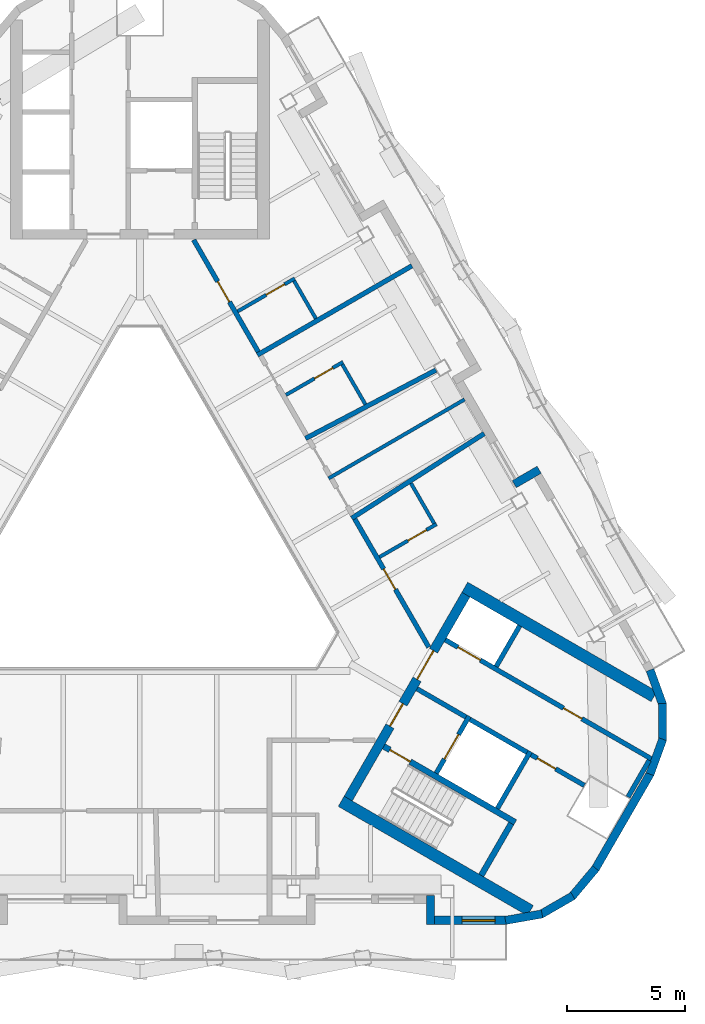
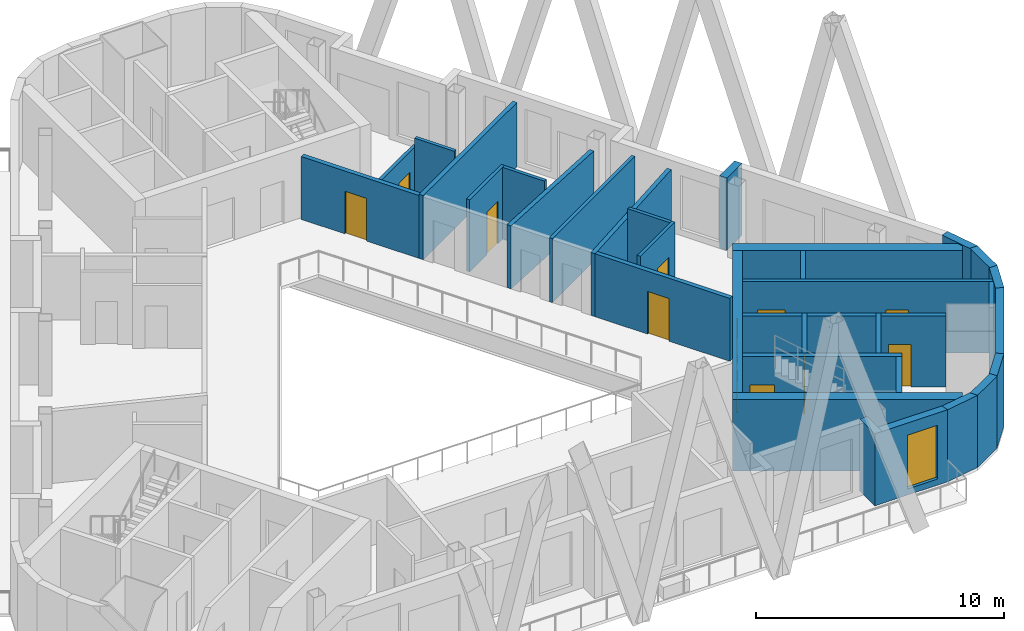
# One storey, part 5 of 11: 35 walls, 12 doors, 1 window, 13 openings.
"""IFC4 building model written with IfcOpenShell, lengths in metres."""

from ifc_helpers import new_model, si_unit, direction, frame, frame_2d, origin, place, context, subcontext, project, spatial, rectangle, extrude, material, layer, layer_set, type_object, element, fill, save


model = new_model("IFC4")

# Units and contexts
model_context = context("Model", 3, precision=1e-05, world=origin(), true_north=direction((0.0, 1.0)))
body_context = subcontext(model_context, "Body", "Model", "MODEL_VIEW")
ifc_project = project(units=[si_unit("LENGTHUNIT", "METRE"), si_unit("AREAUNIT", "SQUARE_METRE"), si_unit("VOLUMEUNIT", "CUBIC_METRE"), si_unit("PLANEANGLEUNIT", "RADIAN"), si_unit("MASSUNIT", "GRAM", prefix="KILO")], contexts=[model_context])

# Site, building, storey
site_placement = place(None, origin())
site = spatial("IfcSite", under=ifc_project, at=site_placement, CompositionType="ELEMENT")
building_placement = place(site_placement, origin())
building = spatial("IfcBuilding", under=site, at=building_placement, Name="Apuvela Tower Hotel", CompositionType="ELEMENT")
storey_placement = place(building_placement, frame((0.0, 0.0, 313.300048828125)))
storey = spatial("IfcBuildingStorey", under=building, at=storey_placement, Name="L78", CompositionType="ELEMENT", Elevation=313.300048828125)

# Wall, openings, doors
ifc_material_1 = material(Name="Concrete C50/60", Category="concrete")
ifc_layer_1 = layer(ifc_material_1, 0.39990234375)
ifc_layer_set_1 = layer_set([ifc_layer_1], Name="COR-WALL-CORE-400")
wall_type_1 = type_object("IfcWallType", Name="COR-WALL-CORE-400", PredefinedType="SHEAR", material=ifc_layer_set_1)
wall_1_placement = place(storey_placement, frame((8.844970703125, -10.880126953125, 0.0), z_axis=(0.0, 0.0, 1.0), x_axis=(0.500004234368, 0.866022959057, 0.0)))
wall_1 = element("IfcWall", 1, at=wall_1_placement, inside=storey, type_object=wall_type_1, Name="Core wall SE", PredefinedType="SHEAR", context=body_context, shape_type="SweptSolid", body=[
    extrude(rectangle(XDim=10.0, YDim=0.39990234375, at=frame_2d((5.0, 0.0))), origin(), (0.0, 0.0, 1.0), 3.5),
])
opening_1_placement = place(wall_1_placement, frame((3.550048828125, 0.0, 0.0)))
opening_1 = element("IfcOpeningElement", 2, at=opening_1_placement, cuts=wall_1, Name="Opening E-FD", PredefinedType="OPENING", context=body_context, shape_type="SweptSolid", body=[
    extrude(rectangle(XDim=1.10009765625, YDim=2.10009765625, at=frame_2d((0.550048828125, 1.050048828125))), frame((0.0, 0.2099609375, 0.0), z_axis=(0.0, -1.0, 0.0), x_axis=(1.0, 0.0, 0.0)), (0.0, 0.0, 1.0), 0.419921875),
])
opening_2_placement = place(wall_1_placement, frame((5.85009765625, 0.0, 0.0)))
opening_2 = element("IfcOpeningElement", 3, at=opening_2_placement, cuts=wall_1, Name="Opening E-GD", PredefinedType="OPENING", context=body_context, shape_type="SweptSolid", body=[
    extrude(rectangle(XDim=1.39990234375, YDim=2.10009765625, at=frame_2d((0.699951171875, 1.050048828125))), frame((0.0, 0.2099609375, 0.0), z_axis=(0.0, -1.0, 0.0), x_axis=(1.0, 0.0, 0.0)), (0.0, 0.0, 1.0), 0.419921875),
])
ifc_material_2 = material(Name="Steel fire door, powder coated", Category="steel")
door_type_1 = type_object("IfcDoorType", Name="COR-FD-1100", OperationType="NOTDEFINED", PredefinedType="DOOR", material=ifc_material_2)
door_1_placement = place(opening_1_placement, frame((1.10009765625, 0.0, 0.0), z_axis=(0.0, 0.0, 1.0), x_axis=(-1.0, 0.0, 0.0)))
door_1 = element("IfcDoor", 4, at=door_1_placement, inside=storey, type_object=door_type_1, Name="Firefighting lobby door E-FD", OperationType="SINGLE_SWING_LEFT", OverallHeight=2.10009765625, OverallWidth=1.10009765625, PredefinedType="DOOR", context=body_context, shape_type="SweptSolid", body=[
    extrude(rectangle(XDim=1.10009765625, YDim=2.10009765625, at=frame_2d((0.550048828125, 1.050048828125))), frame((0.0, 0.02490234375, 0.0), z_axis=(0.0, -1.0, 0.0), x_axis=(1.0, 0.0, 0.0)), (0.0, 0.0, 1.0), 0.050048828125),
])
fill(opening_1, door_1)
ifc_material_3 = material(Name="Glazed steel fire door", Category="steel")
door_type_2 = type_object("IfcDoorType", Name="COR-GD-1400", OperationType="DOUBLE_DOOR_SINGLE_SWING", PredefinedType="DOOR", material=ifc_material_3)
door_2_placement = place(opening_2_placement, frame((1.39990234375, 0.0, 0.0), z_axis=(0.0, 0.0, 1.0), x_axis=(-1.0, 0.0, 0.0)))
door_2 = element("IfcDoor", 5, at=door_2_placement, inside=storey, type_object=door_type_2, Name="Lift lobby door E-GD", OperationType="DOUBLE_DOOR_SINGLE_SWING", OverallHeight=2.10009765625, OverallWidth=1.39990234375, PredefinedType="DOOR", context=body_context, shape_type="SweptSolid", body=[
    extrude(rectangle(XDim=1.39990234375, YDim=2.10009765625, at=frame_2d((0.699951171875, 1.050048828125))), frame((0.0, 0.02490234375, 0.0), z_axis=(0.0, -1.0, 0.0), x_axis=(1.0, 0.0, 0.0)), (0.0, 0.0, 1.0), 0.050048828125),
])
fill(opening_2, door_2)

# Walls
ifc_layer_2 = layer(ifc_material_1, 0.5)
ifc_layer_set_2 = layer_set([ifc_layer_2], Name="COR-WALL-CORE-500")
wall_type_2 = type_object("IfcWallType", Name="COR-WALL-CORE-500", PredefinedType="SHEAR", material=ifc_layer_set_2)
for number, where, z_axis, x_axis, name in (
    (6, (8.546630859375, -10.99658203125, 0.0), (0.0, 0.0, 1.0), (0.866025286072, -0.500000203884, 0.0), "Core wall SE"),
    (7, (13.796630859375, -1.9033203125, 0.0), (0.0, 0.0, 1.0), (0.866025286072, -0.500000203884, 0.0), "Core wall SE"),
):
    element("IfcWall", number, at=place(storey_placement, frame(where, z_axis=z_axis, x_axis=x_axis)), inside=storey, type_object=wall_type_2, Name=name, PredefinedType="SHEAR", context=body_context, shape_type="SweptSolid", body=[
        extrude(rectangle(XDim=9.28271484375, YDim=0.5, at=frame_2d((4.641357421875, 0.0))), origin(), (0.0, 0.0, 1.0), 3.5),
    ])
ifc_layer_3 = layer(ifc_material_1, 0.199951171875)
ifc_layer_set_3 = layer_set([ifc_layer_3], Name="COR-WALL-SHAFT-200")
wall_type_3 = type_object("IfcWallType", Name="COR-WALL-SHAFT-200", PredefinedType="SHEAR", material=ifc_layer_set_3)
wall_2_placement = place(storey_placement, frame((15.181396484375, -11.305419921875, 0.0), z_axis=(0.0, 0.0, 1.0), x_axis=(0.49994636267, 0.866056369097, 0.0)))
element("IfcWall", 8, at=wall_2_placement, inside=storey, type_object=wall_type_3, Name="Shaft wall SE", PredefinedType="SHEAR", context=body_context, shape_type="SweptSolid", body=[
    extrude(rectangle(XDim=2.800048828125, YDim=0.199951171875, at=frame_2d((1.39990234375, 0.0))), origin(), (0.0, 0.0, 1.0), 3.5),
])

# Wall, opening, door
wall_3_placement = place(storey_placement, frame((12.583251953125, -9.805419921875, 0.0), z_axis=(0.0, 0.0, 1.0), x_axis=(0.49994636267, 0.866056369097, 0.0)))
wall_3 = element("IfcWall", 9, at=wall_3_placement, inside=storey, type_object=wall_type_3, Name="Shaft wall SE", PredefinedType="SHEAR", context=body_context, shape_type="SweptSolid", body=[
    extrude(rectangle(XDim=2.800048828125, YDim=0.199951171875, at=frame_2d((1.39990234375, 0.0))), origin(), (0.0, 0.0, 1.0), 3.5),
])
opening_3_placement = place(wall_3_placement, frame((0.699951171875, 0.0, 0.0)))
opening_3 = element("IfcOpeningElement", 10, at=opening_3_placement, cuts=wall_3, Name="Opening E-LD-FS3", PredefinedType="OPENING", context=body_context, shape_type="SweptSolid", body=[
    extrude(rectangle(XDim=1.199951171875, YDim=2.10009765625, at=frame_2d((0.60009765625, 1.050048828125))), frame((0.0, 0.10986328125, 0.0), z_axis=(0.0, -1.0, 0.0), x_axis=(1.0, 0.0, 0.0)), (0.0, 0.0, 1.0), 0.219970703125),
])
ifc_material_4 = material(Name="Stainless steel lift landing door", Category="steel")
door_type_3 = type_object("IfcDoorType", Name="COR-LD-1200", OperationType="DOUBLE_DOOR_SLIDING", PredefinedType="DOOR", material=ifc_material_4)
door_3_placement = place(opening_3_placement, origin())
door_3 = element("IfcDoor", 11, at=door_3_placement, inside=storey, type_object=door_type_3, Name="Lift landing door E-LD-FS3", OperationType="DOUBLE_DOOR_SLIDING", OverallHeight=2.10009765625, OverallWidth=1.199951171875, PredefinedType="DOOR", context=body_context, shape_type="SweptSolid", body=[
    extrude(rectangle(XDim=1.199951171875, YDim=2.10009765625, at=frame_2d((0.60009765625, 1.050048828125))), frame((0.0, 0.02490234375, 0.0), z_axis=(0.0, -1.0, 0.0), x_axis=(1.0, 0.0, 0.0)), (0.0, 0.0, 1.0), 0.050048828125),
])
fill(opening_3, door_3)

# Walls
wall_4_placement = place(storey_placement, frame((11.76806640625, -6.217041015625, 0.0), z_axis=(0.0, 0.0, 1.0), x_axis=(0.866050077142, -0.499957262057, 0.0)))
element("IfcWall", 12, at=wall_4_placement, inside=storey, type_object=wall_type_3, Name="Shaft wall SE", PredefinedType="SHEAR", context=body_context, shape_type="SweptSolid", body=[
    extrude(rectangle(XDim=2.400146484375, YDim=0.199951171875, at=frame_2d((1.2001953125, 0.0))), origin(), (0.0, 0.0, 1.0), 3.5),
])
wall_5_placement = place(storey_placement, frame((14.019775390625, -7.51708984375, 0.0), z_axis=(0.0, 0.0, 1.0), x_axis=(0.866034573852, -0.49998411664, 0.0)))
element("IfcWall", 13, at=wall_5_placement, inside=storey, type_object=wall_type_3, Name="Shaft wall SE", PredefinedType="SHEAR", context=body_context, shape_type="SweptSolid", body=[
    extrude(rectangle(XDim=2.7998046875, YDim=0.199951171875, at=frame_2d((1.39990234375, 0.0))), origin(), (0.0, 0.0, 1.0), 3.5),
])

# Wall, openings, doors
wall_6_placement = place(storey_placement, frame((12.968017578125, -4.138427734375, 0.0), z_axis=(0.0, 0.0, 1.0), x_axis=(0.866025710499, -0.499999468754, 0.0)))
wall_6 = element("IfcWall", 14, at=wall_6_placement, inside=storey, type_object=wall_type_3, Name="Shaft wall SE", PredefinedType="SHEAR", context=body_context, shape_type="SweptSolid", body=[
    extrude(rectangle(XDim=10.12109375, YDim=0.199951171875, at=frame_2d((5.060546875, 0.0))), origin(), (0.0, 0.0, 1.0), 3.5),
])
opening_4_placement = place(wall_6_placement, frame((0.6201171875, 0.0, 0.0)))
opening_4 = element("IfcOpeningElement", 15, at=opening_4_placement, cuts=wall_6, Name="Opening E-LD-HR3", PredefinedType="OPENING", context=body_context, shape_type="SweptSolid", body=[
    extrude(rectangle(XDim=1.10009765625, YDim=2.10009765625, at=frame_2d((0.550048828125, 1.050048828125))), frame((0.0, 0.10986328125, 0.0), z_axis=(0.0, -1.0, 0.0), x_axis=(1.0, 0.0, 0.0)), (0.0, 0.0, 1.0), 0.219970703125),
])
opening_5_placement = place(wall_6_placement, frame((5.800048828125, 0.0, 0.0)))
opening_5 = element("IfcOpeningElement", 16, at=opening_5_placement, cuts=wall_6, Name="Opening E-RE2", PredefinedType="OPENING", context=body_context, shape_type="SweptSolid", body=[
    extrude(rectangle(XDim=0.89990234375, YDim=2.10009765625, at=frame_2d((0.449951171875, 1.050048828125))), frame((0.0, 0.10986328125, 0.0), z_axis=(0.0, -1.0, 0.0), x_axis=(1.0, 0.0, 0.0)), (0.0, 0.0, 1.0), 0.219970703125),
])
door_type_4 = type_object("IfcDoorType", Name="COR-DR-900", OperationType="NOTDEFINED", PredefinedType="DOOR", material=ifc_material_2)
door_4_placement = place(opening_5_placement, origin())
door_4 = element("IfcDoor", 17, at=door_4_placement, inside=storey, type_object=door_type_4, Name="Store door E-RE2", OperationType="SINGLE_SWING_LEFT", OverallHeight=2.10009765625, OverallWidth=0.89990234375, PredefinedType="DOOR", context=body_context, shape_type="SweptSolid", body=[
    extrude(rectangle(XDim=0.89990234375, YDim=2.10009765625, at=frame_2d((0.449951171875, 1.050048828125))), frame((0.0, 0.02490234375, 0.0), z_axis=(0.0, -1.0, 0.0), x_axis=(1.0, 0.0, 0.0)), (0.0, 0.0, 1.0), 0.050048828125),
])
fill(opening_5, door_4)
door_type_5 = type_object("IfcDoorType", Name="COR-LD-1100", OperationType="DOUBLE_DOOR_SLIDING", PredefinedType="DOOR", material=ifc_material_4)
door_5_placement = place(opening_4_placement, origin())
door_5 = element("IfcDoor", 18, at=door_5_placement, inside=storey, type_object=door_type_5, Name="Lift landing door E-LD-HR3", OperationType="DOUBLE_DOOR_SLIDING", OverallHeight=2.10009765625, OverallWidth=1.10009765625, PredefinedType="DOOR", context=body_context, shape_type="SweptSolid", body=[
    extrude(rectangle(XDim=1.10009765625, YDim=2.10009765625, at=frame_2d((0.550048828125, 1.050048828125))), frame((0.0, 0.02490234375, 0.0), z_axis=(0.0, -1.0, 0.0), x_axis=(1.0, 0.0, 0.0)), (0.0, 0.0, 1.0), 0.050048828125),
])
fill(opening_4, door_5)

# Wall
wall_7_placement = place(storey_placement, frame((20.73046875, -10.81396484375, 0.0), z_axis=(0.0, 0.0, 1.0), x_axis=(0.499961193289, 0.866047807691, 0.0)))
element("IfcWall", 19, at=wall_7_placement, inside=storey, type_object=wall_type_3, Name="Shaft wall SE", PredefinedType="SHEAR", context=body_context, shape_type="SweptSolid", body=[
    extrude(rectangle(XDim=1.800048828125, YDim=0.199951171875, at=frame_2d((0.89990234375, 0.0))), origin(), (0.0, 0.0, 1.0), 3.5),
])

# Wall, opening, door
wall_8_placement = place(storey_placement, frame((16.617919921875, -9.01708984375, 0.0), z_axis=(0.0, 0.0, 1.0), x_axis=(0.866045268016, -0.499965592563, 0.0)))
wall_8 = element("IfcWall", 20, at=wall_8_placement, inside=storey, type_object=wall_type_3, Name="Shaft wall SE", PredefinedType="SHEAR", context=body_context, shape_type="SweptSolid", body=[
    extrude(rectangle(XDim=2.607666015625, YDim=0.199951171875, at=frame_2d((1.3037109375, 0.0))), origin(), (0.0, 0.0, 1.0), 3.5),
])
opening_6_placement = place(wall_8_placement, frame((0.300048828125, 0.0, 0.0)))
opening_6 = element("IfcOpeningElement", 21, at=opening_6_placement, cuts=wall_8, Name="Opening E-RDU", PredefinedType="OPENING", context=body_context, shape_type="SweptSolid", body=[
    extrude(rectangle(XDim=0.89990234375, YDim=2.10009765625, at=frame_2d((0.449951171875, 1.050048828125))), frame((0.0, 0.10986328125, 0.0), z_axis=(0.0, -1.0, 0.0), x_axis=(1.0, 0.0, 0.0)), (0.0, 0.0, 1.0), 0.219970703125),
])
door_6_placement = place(opening_6_placement, frame((0.89990234375, 0.0, 0.0), z_axis=(0.0, 0.0, 1.0), x_axis=(-1.0, 0.0, 0.0)))
door_6 = element("IfcDoor", 22, at=door_6_placement, inside=storey, type_object=door_type_4, Name="Store door E-RDU", OperationType="SINGLE_SWING_RIGHT", OverallHeight=2.10009765625, OverallWidth=0.89990234375, PredefinedType="DOOR", context=body_context, shape_type="SweptSolid", body=[
    extrude(rectangle(XDim=0.89990234375, YDim=2.10009765625, at=frame_2d((0.449951171875, 1.050048828125))), frame((0.0, 0.02490234375, 0.0), z_axis=(0.0, -1.0, 0.0), x_axis=(1.0, 0.0, 0.0)), (0.0, 0.0, 1.0), 0.050048828125),
])
fill(opening_6, door_6)

# Wall
wall_9_placement = place(storey_placement, frame((15.131103515625, -5.27197265625, 0.0), z_axis=(0.0, 0.0, 1.0), x_axis=(0.499972520799, 0.866041268327, 0.0)))
element("IfcWall", 23, at=wall_9_placement, inside=storey, type_object=wall_type_3, Name="Shaft wall SE", PredefinedType="SHEAR", context=body_context, shape_type="SweptSolid", body=[
    extrude(rectangle(XDim=2.0, YDim=0.199951171875, at=frame_2d((1.0, 0.0))), origin(), (0.0, 0.0, 1.0), 3.5),
])

# Wall, opening, door
ifc_layer_4 = layer(ifc_material_1, 0.25)
ifc_layer_set_4 = layer_set([ifc_layer_4], Name="COR-WALL-STAIR-250")
wall_type_4 = type_object("IfcWallType", Name="COR-WALL-STAIR-250", PredefinedType="SHEAR", material=ifc_layer_set_4)
wall_10_placement = place(storey_placement, frame((10.355712890625, -8.66357421875, 0.0), z_axis=(0.0, 0.0, 1.0), x_axis=(0.866028629588, -0.499994412703, 0.0)))
wall_10 = element("IfcWall", 24, at=wall_10_placement, inside=storey, type_object=wall_type_4, Name="Stair wall SE", PredefinedType="SHEAR", context=body_context, shape_type="SweptSolid", body=[
    extrude(rectangle(XDim=6.44970703125, YDim=0.25, at=frame_2d((3.224853515625, 0.0))), origin(), (0.0, 0.0, 1.0), 3.5),
])
opening_7_placement = place(wall_10_placement, frame((0.300048828125, 0.0, 0.0)))
opening_7 = element("IfcOpeningElement", 25, at=opening_7_placement, cuts=wall_10, Name="Opening E-SD", PredefinedType="OPENING", context=body_context, shape_type="SweptSolid", body=[
    extrude(rectangle(XDim=1.0, YDim=2.10009765625, at=frame_2d((0.5, 1.050048828125))), frame((0.0, 0.135009765625, 0.0), z_axis=(0.0, -1.0, 0.0), x_axis=(1.0, 0.0, 0.0)), (0.0, 0.0, 1.0), 0.27001953125),
])
door_type_6 = type_object("IfcDoorType", Name="COR-SD-1000", OperationType="NOTDEFINED", PredefinedType="DOOR", material=ifc_material_2)
door_7_placement = place(opening_7_placement, frame((1.0, 0.0, 0.0), z_axis=(0.0, 0.0, 1.0), x_axis=(-1.0, 0.0, 0.0)))
door_7 = element("IfcDoor", 26, at=door_7_placement, inside=storey, type_object=door_type_6, Name="Stair door E-SD", OperationType="SINGLE_SWING_LEFT", OverallHeight=2.10009765625, OverallWidth=1.0, PredefinedType="DOOR", context=body_context, shape_type="SweptSolid", body=[
    extrude(rectangle(XDim=1.0, YDim=2.10009765625, at=frame_2d((0.5, 1.050048828125))), frame((0.0, 0.02490234375, 0.0), z_axis=(0.0, -1.0, 0.0), x_axis=(1.0, 0.0, 0.0)), (0.0, 0.0, 1.0), 0.050048828125),
])
fill(opening_7, door_7)

# Walls
wall_11_placement = place(storey_placement, frame((14.49560546875, -14.142578125, 0.0), z_axis=(0.0, 0.0, 1.0), x_axis=(0.500062241894, 0.865989465428, 0.0)))
element("IfcWall", 27, at=wall_11_placement, inside=storey, type_object=wall_type_4, Name="Stair wall SE", PredefinedType="SHEAR", context=body_context, shape_type="SweptSolid", body=[
    extrude(rectangle(XDim=2.550048828125, YDim=0.25, at=frame_2d((1.27490234375, 0.0))), origin(), (0.0, 0.0, 1.0), 3.5),
])
ifc_material_5 = material(Name="Concrete C40/50, dark pigmented precast panel", Category="concrete")
ifc_layer_5 = layer(ifc_material_5, 0.35009765625)
ifc_layer_set_5 = layer_set([ifc_layer_5], Name="ENV-WALL-350")
wall_type_5 = type_object("IfcWallType", Name="ENV-WALL-350", PredefinedType="SOLIDWALL", material=ifc_layer_set_5)
wall_12_placement = place(storey_placement, frame((12.33642578125, -15.007568359375, 0.0), z_axis=(0.0, 0.0, 1.0), x_axis=(0.0, -1.0, 0.0)))
element("IfcWall", 28, at=wall_12_placement, inside=storey, type_object=wall_type_5, Name="External wall L78-24", PredefinedType="SOLIDWALL", context=body_context, shape_type="SweptSolid", body=[
    extrude(rectangle(XDim=1.219970703125, YDim=0.35009765625, at=frame_2d((0.60986328125, 0.0))), origin(), (0.0, 0.0, 1.0), 3.550048828125),
])

# Wall, opening, window
wall_13_placement = place(storey_placement, frame((12.161376953125, -16.052490234375, 0.0), z_axis=(0.0, 0.0, 1.0), x_axis=(1.0, 0.0, 0.0)))
wall_13 = element("IfcWall", 29, at=wall_13_placement, inside=storey, type_object=wall_type_5, Name="External wall L78-25", PredefinedType="SOLIDWALL", context=body_context, shape_type="SweptSolid", body=[
    extrude(rectangle(XDim=3.39306640625, YDim=0.35009765625, at=frame_2d((1.696533203125, 0.0))), origin(), (0.0, 0.0, 1.0), 3.550048828125),
])
opening_8_placement = place(wall_13_placement, frame((1.5244140625, 0.0, 0.300048828125)))
opening_8 = element("IfcOpeningElement", 30, at=opening_8_placement, cuts=wall_13, Name="Opening WN14", PredefinedType="OPENING", context=body_context, shape_type="SweptSolid", body=[
    extrude(rectangle(XDim=1.39990234375, YDim=2.64990234375, at=frame_2d((0.699951171875, 1.324951171875))), frame((0.0, 0.18505859375, 0.0), z_axis=(0.0, -1.0, 0.0), x_axis=(1.0, 0.0, 0.0)), (0.0, 0.0, 1.0), 0.3701171875),
])
ifc_material_6 = material(Name="Glass, dark tinted laminated insulated glazing unit", Category="glass")
window_type = type_object("IfcWindowType", Name="ENV-WIN-1400x2650", PartitioningType="SINGLE_PANEL", PredefinedType="WINDOW", material=ifc_material_6)
window_placement = place(opening_8_placement, origin())
window = element("IfcWindow", 31, at=window_placement, inside=storey, type_object=window_type, Name="Window WN14", OverallHeight=2.64990234375, OverallWidth=1.39990234375, PartitioningType="SINGLE_PANEL", PredefinedType="WINDOW", context=body_context, shape_type="SweptSolid", body=[
    extrude(rectangle(XDim=1.39990234375, YDim=2.64990234375, at=frame_2d((0.699951171875, 1.324951171875))), frame((0.0, 0.030029296875, 0.0), z_axis=(0.0, -1.0, 0.0), x_axis=(1.0, 0.0, 0.0)), (0.0, 0.0, 1.0), 0.06005859375),
])
fill(opening_8, window)

# Walls
for number, where, z_axis, x_axis, name in (
    (32, (15.52392578125, -16.05517578125, 0.0), (0.0, 0.0, 1.0), (0.984813116036, 0.173617759703, 0.0), "External wall L78-26"),
    (33, (17.02197265625, -15.8017578125, 0.0), (0.0, 0.0, 1.0), (0.866007919525, 0.500030282404, 0.0), "External wall L78-27"),
    (34, (18.343017578125, -15.05126953125, 0.0), (0.0, 0.0, 1.0), (0.642720587594, 0.766100676336, 0.0), "External wall L78-28"),
):
    element("IfcWall", number, at=place(storey_placement, frame(where, z_axis=z_axis, x_axis=x_axis)), inside=storey, type_object=wall_type_5, Name=name, PredefinedType="SOLIDWALL", context=body_context, shape_type="SweptSolid", body=[
        extrude(rectangle(XDim=1.5791015625, YDim=0.35009765625, at=frame_2d((0.78955078125, 0.0))), origin(), (0.0, 0.0, 1.0), 3.550048828125),
    ])
wall_14_placement = place(storey_placement, frame((19.34033203125, -13.86669921875, 0.0), z_axis=(0.0, 0.0, 1.0), x_axis=(0.500023656998, 0.86601174498, 0.0)))
element("IfcWall", 35, at=wall_14_placement, inside=storey, type_object=wall_type_5, Name="External wall L78-29", PredefinedType="SOLIDWALL", context=body_context, shape_type="SweptSolid", body=[
    extrude(rectangle(XDim=4.677490234375, YDim=0.35009765625, at=frame_2d((2.3388671875, 0.0))), origin(), (0.0, 0.0, 1.0), 3.550048828125),
])
for number, where, z_axis, x_axis, name in (
    (36, (21.666259765625, -9.84375, 0.0), (0.0, 0.0, 1.0), (0.341991325642, 0.939703109065, 0.0), "External wall L78-30"),
    (37, (22.19580078125, -8.419677734375, 0.0), (0.0, 0.0, 1.0), (0.0, 1.0, 0.0), "External wall L78-31"),
    (38, (22.206298828125, -6.900390625, 0.0), (0.0, 0.0, 1.0), (-0.341991325642, 0.939703109065, 0.0), "External wall L78-32"),
):
    element("IfcWall", number, at=place(storey_placement, frame(where, z_axis=z_axis, x_axis=x_axis)), inside=storey, type_object=wall_type_5, Name=name, PredefinedType="SOLIDWALL", context=body_context, shape_type="SweptSolid", body=[
        extrude(rectangle(XDim=1.5791015625, YDim=0.35009765625, at=frame_2d((0.78955078125, 0.0))), origin(), (0.0, 0.0, 1.0), 3.550048828125),
    ])
wall_15_placement = place(storey_placement, frame((16.956298828125, 3.0859375, 0.0), z_axis=(0.0, 0.0, 1.0), x_axis=(-0.866005645448, -0.500034220881, 0.0)))
element("IfcWall", 39, at=wall_15_placement, inside=storey, type_object=wall_type_5, Name="External wall L78-34", PredefinedType="SOLIDWALL", context=body_context, shape_type="SweptSolid", body=[
    extrude(rectangle(XDim=1.22021484375, YDim=0.35009765625, at=frame_2d((0.610107421875, 0.0))), origin(), (0.0, 0.0, 1.0), 3.550048828125),
])
ifc_material_7 = material(Name="Gypsum board partition on twin steel stud", Category="steel")
ifc_layer_6 = layer(ifc_material_7, 0.199951171875)
ifc_layer_set_6 = layer_set([ifc_layer_6], Name="GST-PW1")
wall_type_6 = type_object("IfcWallType", Name="GST-PW1", PredefinedType="PARTITIONING", material=ifc_layer_set_6)
wall_16_placement = place(storey_placement, frame((14.6240234375, 4.62548828125, 0.0), z_axis=(0.0, 0.0, 1.0), x_axis=(-0.842484919653, -0.53871992738, 0.0)))
element("IfcWall", 40, at=wall_16_placement, inside=storey, type_object=wall_type_6, Name="L78 partition 04", PredefinedType="PARTITIONING", context=body_context, shape_type="SweptSolid", body=[
    extrude(rectangle(XDim=6.6845703125, YDim=0.199951171875, at=frame_2d((3.34228515625, 0.0))), origin(), (0.0, 0.0, 1.0), 3.099853515625),
])
wall_17_placement = place(storey_placement, frame((12.575927734375, 7.322998046875, 0.0), z_axis=(0.0, 0.0, 1.0), x_axis=(-0.885630617544, -0.464390363023, 0.0)))
element("IfcWall", 41, at=wall_17_placement, inside=storey, type_object=wall_type_6, Name="L78 partition 05", PredefinedType="PARTITIONING", context=body_context, shape_type="SweptSolid", body=[
    extrude(rectangle(XDim=6.257568359375, YDim=0.199951171875, at=frame_2d((3.12890625, 0.0))), origin(), (0.0, 0.0, 1.0), 3.099853515625),
])
wall_18_placement = place(storey_placement, frame((11.55029296875, 11.749267578125, 0.0), z_axis=(0.0, 0.0, 1.0), x_axis=(-0.866019793702, -0.500009716822, 0.0)))
element("IfcWall", 42, at=wall_18_placement, inside=storey, type_object=wall_type_6, Name="L78 partition 06", PredefinedType="PARTITIONING", context=body_context, shape_type="SweptSolid", body=[
    extrude(rectangle(XDim=7.577392578125, YDim=0.199951171875, at=frame_2d((3.78857421875, 0.0))), origin(), (0.0, 0.0, 1.0), 3.159912109375),
])

# Wall, opening, door
ifc_material_8 = material(Name="Gypsum board corridor wall on twin steel stud, acoustic", Category="steel")
ifc_layer_7 = layer(ifc_material_8, 0.199951171875)
ifc_layer_set_7 = layer_set([ifc_layer_7], Name="GST-PW2")
wall_type_7 = type_object("IfcWallType", Name="GST-PW2", PredefinedType="PARTITIONING", material=ifc_layer_set_7)
wall_19_placement = place(storey_placement, frame((9.126953125, 0.99169921875, 0.0), z_axis=(0.0, 0.0, 1.0), x_axis=(0.500012817413, -0.866018003521, 0.0)))
wall_19 = element("IfcWall", 43, at=wall_19_placement, inside=storey, type_object=wall_type_7, Name="L78 partition 19", PredefinedType="PARTITIONING", context=body_context, shape_type="SweptSolid", body=[
    extrude(rectangle(XDim=6.283447265625, YDim=0.199951171875, at=frame_2d((3.1416015625, 0.0))), origin(), (0.0, 0.0, 1.0), 3.099853515625),
])
opening_9_placement = place(wall_19_placement, frame((2.445556640625, 0.0, 0.0)))
opening_9 = element("IfcOpeningElement", 44, at=opening_9_placement, cuts=wall_19, Name="Opening GD33-08", PredefinedType="OPENING", context=body_context, shape_type="SweptSolid", body=[
    extrude(rectangle(XDim=1.0, YDim=2.10009765625, at=frame_2d((0.5, 1.050048828125))), frame((0.0, 0.10986328125, 0.0), z_axis=(0.0, -1.0, 0.0), x_axis=(1.0, 0.0, 0.0)), (0.0, 0.0, 1.0), 0.219970703125),
])
ifc_material_9 = material(Name="Timber door leaf in steel frame", Category="steel")
door_type_7 = type_object("IfcDoorType", Name="GST-D1", OperationType="NOTDEFINED", PredefinedType="DOOR", material=ifc_material_9)
door_8_placement = place(opening_9_placement, origin())
door_8 = element("IfcDoor", 45, at=door_8_placement, inside=storey, type_object=door_type_7, Name="Door L78-08", OperationType="SINGLE_SWING_RIGHT", OverallHeight=2.10009765625, OverallWidth=1.0, PredefinedType="DOOR", context=body_context, shape_type="SweptSolid", body=[
    extrude(rectangle(XDim=1.0, YDim=2.10009765625, at=frame_2d((0.5, 1.050048828125))), frame((0.0, 0.02490234375, 0.0), z_axis=(0.0, -1.0, 0.0), x_axis=(1.0, 0.0, 0.0)), (0.0, 0.0, 1.0), 0.050048828125),
])
fill(opening_9, door_8)

wall_20_placement = place(storey_placement, frame((2.280517578125, 12.85009765625, 0.0), z_axis=(0.0, 0.0, 1.0), x_axis=(0.500004836318, -0.866022611517, 0.0)))
wall_20 = element("IfcWall", 46, at=wall_20_placement, inside=storey, type_object=wall_type_7, Name="L78 partition 28", PredefinedType="PARTITIONING", context=body_context, shape_type="SweptSolid", body=[
    extrude(rectangle(XDim=5.48828125, YDim=0.199951171875, at=frame_2d((2.744140625, 0.0))), origin(), (0.0, 0.0, 1.0), 3.099853515625),
])
opening_10_placement = place(wall_20_placement, frame((2.0380859375, 0.0, 0.0)))
opening_10 = element("IfcOpeningElement", 47, at=opening_10_placement, cuts=wall_20, Name="Opening GD33-14", PredefinedType="OPENING", context=body_context, shape_type="SweptSolid", body=[
    extrude(rectangle(XDim=1.0, YDim=2.10009765625, at=frame_2d((0.5, 1.050048828125))), frame((0.0, 0.10986328125, 0.0), z_axis=(0.0, -1.0, 0.0), x_axis=(1.0, 0.0, 0.0)), (0.0, 0.0, 1.0), 0.219970703125),
])
door_9_placement = place(opening_10_placement, origin())
door_9 = element("IfcDoor", 48, at=door_9_placement, inside=storey, type_object=door_type_7, Name="Door L78-14", OperationType="SINGLE_SWING_LEFT", OverallHeight=2.10009765625, OverallWidth=1.0, PredefinedType="DOOR", context=body_context, shape_type="SweptSolid", body=[
    extrude(rectangle(XDim=1.0, YDim=2.10009765625, at=frame_2d((0.5, 1.050048828125))), frame((0.0, 0.02490234375, 0.0), z_axis=(0.0, -1.0, 0.0), x_axis=(1.0, 0.0, 0.0)), (0.0, 0.0, 1.0), 0.050048828125),
])
fill(opening_10, door_9)

ifc_material_10 = material(Name="Moisture-resistant gypsum board wet wall on steel stud", Category="steel")
ifc_layer_8 = layer(ifc_material_10, 0.14990234375)
ifc_layer_set_8 = layer_set([ifc_layer_8], Name="GST-PW3")
wall_type_8 = type_object("IfcWallType", Name="GST-PW3", PredefinedType="PARTITIONING", material=ifc_layer_set_8)
wall_21_placement = place(storey_placement, frame((10.173828125, -0.62158203125, 0.0), z_axis=(0.0, 0.0, 1.0), x_axis=(0.865996816683, 0.500049511043, 0.0)))
wall_21 = element("IfcWall", 49, at=wall_21_placement, inside=storey, type_object=wall_type_8, Name="L78 partition 20", PredefinedType="PARTITIONING", context=body_context, shape_type="SweptSolid", body=[
    extrude(rectangle(XDim=2.800048828125, YDim=0.14990234375, at=frame_2d((1.39990234375, 0.0))), origin(), (0.0, 0.0, 1.0), 3.550048828125),
])
opening_11_placement = place(wall_21_placement, frame((1.39990234375, 0.0, 0.0)))
opening_11 = element("IfcOpeningElement", 50, at=opening_11_placement, cuts=wall_21, Name="Opening GD33-07", PredefinedType="OPENING", context=body_context, shape_type="SweptSolid", body=[
    extrude(rectangle(XDim=0.89990234375, YDim=2.10009765625, at=frame_2d((0.449951171875, 1.050048828125))), frame((0.0, 0.0849609375, 0.0), z_axis=(0.0, -1.0, 0.0), x_axis=(1.0, 0.0, 0.0)), (0.0, 0.0, 1.0), 0.169921875),
])
door_type_8 = type_object("IfcDoorType", Name="GST-D2", OperationType="NOTDEFINED", PredefinedType="DOOR", material=ifc_material_9)
door_10_placement = place(opening_11_placement, origin())
door_10 = element("IfcDoor", 51, at=door_10_placement, inside=storey, type_object=door_type_8, Name="Door L78-07", OperationType="SINGLE_SWING_RIGHT", OverallHeight=2.10009765625, OverallWidth=0.89990234375, PredefinedType="DOOR", context=body_context, shape_type="SweptSolid", body=[
    extrude(rectangle(XDim=0.89990234375, YDim=2.10009765625, at=frame_2d((0.449951171875, 1.050048828125))), frame((0.0, 0.02490234375, 0.0), z_axis=(0.0, -1.0, 0.0), x_axis=(1.0, 0.0, 0.0)), (0.0, 0.0, 1.0), 0.050048828125),
])
fill(opening_11, door_10)

# Walls
wall_22_placement = place(storey_placement, frame((12.49609375, 0.805908203125, 0.0), z_axis=(0.0, 0.0, 1.0), x_axis=(-0.499904503454, 0.866080531721, 0.0)))
element("IfcWall", 52, at=wall_22_placement, inside=storey, type_object=wall_type_8, Name="L78 partition 21", PredefinedType="PARTITIONING", context=body_context, shape_type="SweptSolid", body=[
    extrude(rectangle(XDim=1.9736328125, YDim=0.14990234375, at=frame_2d((0.98681640625, 0.0))), origin(), (0.0, 0.0, 1.0), 3.550048828125),
])
wall_23_placement = place(storey_placement, frame((13.788330078125, 6.072998046875, 0.0), z_axis=(0.0, 0.0, 1.0), x_axis=(-0.864855005342, -0.502021732334, 0.0)))
element("IfcWall", 53, at=wall_23_placement, inside=storey, type_object=wall_type_8, Name="L78 partition 22", PredefinedType="PARTITIONING", context=body_context, shape_type="SweptSolid", body=[
    extrude(rectangle(XDim=6.677490234375, YDim=0.14990234375, at=frame_2d((3.3388671875, 0.0))), origin(), (0.0, 0.0, 1.0), 3.159912109375),
])

# Wall, opening, door
wall_24_placement = place(storey_placement, frame((8.62353515625, 7.66357421875, 0.0), z_axis=(0.0, 0.0, 1.0), x_axis=(-0.866034573852, -0.49998411664, 0.0)))
wall_24 = element("IfcWall", 54, at=wall_24_placement, inside=storey, type_object=wall_type_8, Name="L78 partition 26", PredefinedType="PARTITIONING", context=body_context, shape_type="SweptSolid", body=[
    extrude(rectangle(XDim=2.7998046875, YDim=0.14990234375, at=frame_2d((1.39990234375, 0.0))), origin(), (0.0, 0.0, 1.0), 3.550048828125),
])
opening_12_placement = place(wall_24_placement, frame((0.5, 0.0, 0.0)))
opening_12 = element("IfcOpeningElement", 55, at=opening_12_placement, cuts=wall_24, Name="Opening GD33-11", PredefinedType="OPENING", context=body_context, shape_type="SweptSolid", body=[
    extrude(rectangle(XDim=0.89990234375, YDim=2.10009765625, at=frame_2d((0.449951171875, 1.050048828125))), frame((0.0, 0.0849609375, 0.0), z_axis=(0.0, -1.0, 0.0), x_axis=(1.0, 0.0, 0.0)), (0.0, 0.0, 1.0), 0.169921875),
])
door_11_placement = place(opening_12_placement, origin())
door_11 = element("IfcDoor", 56, at=door_11_placement, inside=storey, type_object=door_type_8, Name="Door L78-11", OperationType="SINGLE_SWING_LEFT", OverallHeight=2.10009765625, OverallWidth=0.89990234375, PredefinedType="DOOR", context=body_context, shape_type="SweptSolid", body=[
    extrude(rectangle(XDim=0.89990234375, YDim=2.10009765625, at=frame_2d((0.449951171875, 1.050048828125))), frame((0.0, 0.02490234375, 0.0), z_axis=(0.0, -1.0, 0.0), x_axis=(1.0, 0.0, 0.0)), (0.0, 0.0, 1.0), 0.050048828125),
])
fill(opening_12, door_11)

# Wall
wall_25_placement = place(storey_placement, frame((9.576416015625, 5.863037109375, 0.0), z_axis=(0.0, 0.0, 1.0), x_axis=(-0.499956000529, 0.8660508054, 0.0)))
element("IfcWall", 57, at=wall_25_placement, inside=storey, type_object=wall_type_8, Name="L78 partition 27", PredefinedType="PARTITIONING", context=body_context, shape_type="SweptSolid", body=[
    extrude(rectangle(XDim=1.960693359375, YDim=0.14990234375, at=frame_2d((0.98046875, 0.0))), origin(), (0.0, 0.0, 1.0), 3.550048828125),
])

# Wall, opening, door
wall_26_placement = place(storey_placement, frame((6.573486328125, 11.214111328125, 0.0), z_axis=(0.0, 0.0, 1.0), x_axis=(-0.866034573852, -0.49998411664, 0.0)))
wall_26 = element("IfcWall", 58, at=wall_26_placement, inside=storey, type_object=wall_type_8, Name="L78 partition 29", PredefinedType="PARTITIONING", context=body_context, shape_type="SweptSolid", body=[
    extrude(rectangle(XDim=2.7998046875, YDim=0.14990234375, at=frame_2d((1.39990234375, 0.0))), origin(), (0.0, 0.0, 1.0), 3.099853515625),
])
opening_13_placement = place(wall_26_placement, frame((0.5, 0.0, 0.0)))
opening_13 = element("IfcOpeningElement", 59, at=opening_13_placement, cuts=wall_26, Name="Opening GD33-13", PredefinedType="OPENING", context=body_context, shape_type="SweptSolid", body=[
    extrude(rectangle(XDim=0.89990234375, YDim=2.10009765625, at=frame_2d((0.449951171875, 1.050048828125))), frame((0.0, 0.0849609375, 0.0), z_axis=(0.0, -1.0, 0.0), x_axis=(1.0, 0.0, 0.0)), (0.0, 0.0, 1.0), 0.169921875),
])
door_12_placement = place(opening_13_placement, origin())
door_12 = element("IfcDoor", 60, at=door_12_placement, inside=storey, type_object=door_type_8, Name="Door L78-13", OperationType="SINGLE_SWING_LEFT", OverallHeight=2.10009765625, OverallWidth=0.89990234375, PredefinedType="DOOR", context=body_context, shape_type="SweptSolid", body=[
    extrude(rectangle(XDim=0.89990234375, YDim=2.10009765625, at=frame_2d((0.449951171875, 1.050048828125))), frame((0.0, 0.02490234375, 0.0), z_axis=(0.0, -1.0, 0.0), x_axis=(1.0, 0.0, 0.0)), (0.0, 0.0, 1.0), 0.050048828125),
])
fill(opening_13, door_12)

# Wall
wall_27_placement = place(storey_placement, frame((7.47119140625, 9.509521484375, 0.0), z_axis=(0.0, 0.0, 1.0), x_axis=(-0.499985172903, 0.866033964044, 0.0)))
element("IfcWall", 61, at=wall_27_placement, inside=storey, type_object=wall_type_8, Name="L78 partition 30", PredefinedType="PARTITIONING", context=body_context, shape_type="SweptSolid", body=[
    extrude(rectangle(XDim=1.85009765625, YDim=0.14990234375, at=frame_2d((0.925048828125, 0.0))), origin(), (0.0, 0.0, 1.0), 3.550048828125),
])

save(model, "model.ifc")
